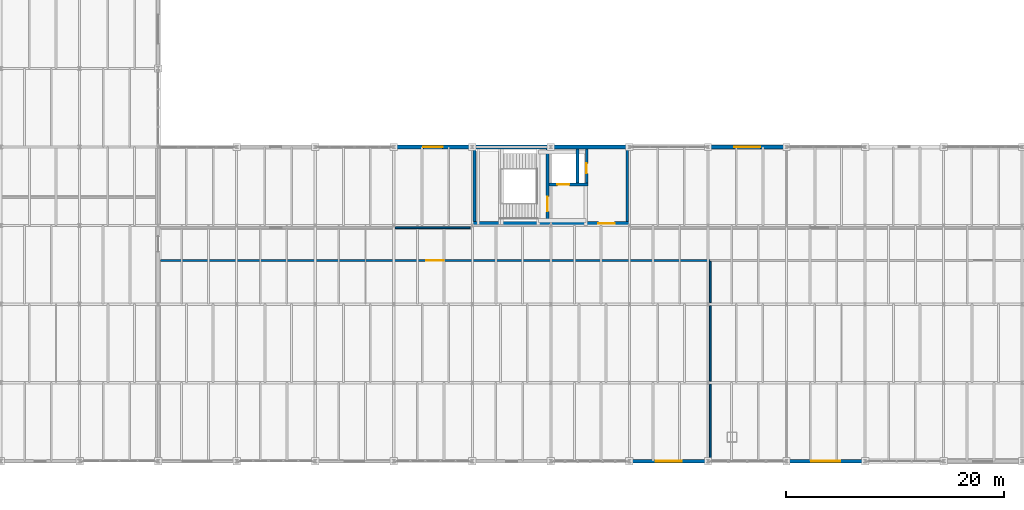
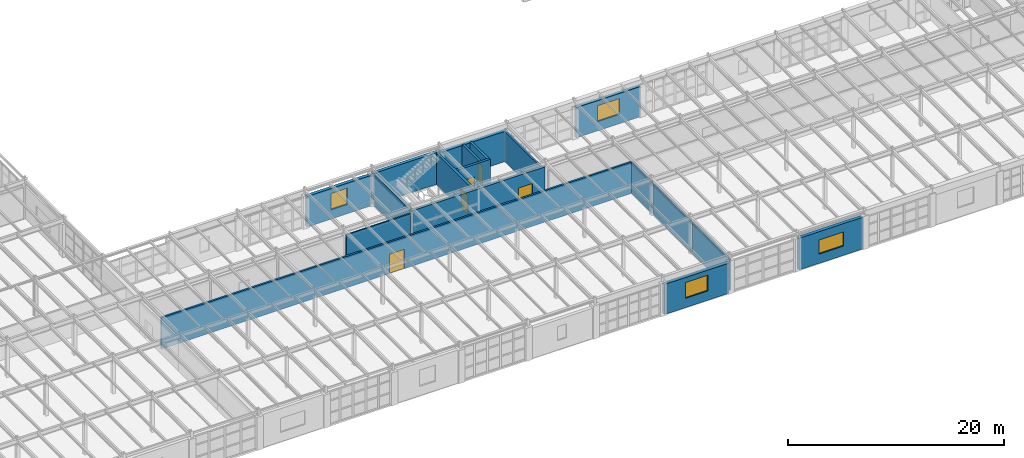
# One storey, part 125 of 137: 18 walls, 5 doors, 4 windows, 9 openings.
"""IFC4 building model written with IfcOpenShell, lengths in metres."""

import ifcopenshell
import ifcopenshell.guid

model = None  # the IFC model being written
_history = None  # IfcOwnerHistory: only IFC2X3 demands one
_inside = {}  # id of a spatial element -> (the spatial element, [elements in it])
_under = {}  # id of a project, library or spatial element -> (it, [spatial elements below it])
_declared = {}  # id of a project -> (the project, [libraries it declares])
_typed = {}  # id of a type object -> (the type object, [elements of that type])
_made_of = {}  # id of a material, layer set ... -> (it, [elements and type objects made of it])


def new_model(schema):
    """Start an empty IFC model of exactly this schema.

    Asked for "IFC4X3", IfcOpenShell would pick the latest addendum, in which some entities
    have other attributes; the version numbers below select the first issue.
    IFC2X3 requires an IfcOwnerHistory on every rooted entity: one is made here for all.
    """
    global model, _history
    if schema == "IFC4X3":
        model = ifcopenshell.file(schema_version=(4, 3, 0, 0))
    else:
        model = ifcopenshell.file(schema=schema)
    _inside.clear()
    _under.clear()
    _declared.clear()
    _typed.clear()
    _made_of.clear()
    _history = None
    if model.schema == "IFC2X3":
        org = make("IfcOrganization", Name="unknown")
        user = make(
            "IfcPersonAndOrganization",
            ThePerson=make("IfcPerson", FamilyName="unknown"),
            TheOrganization=org,
        )
        app = make(
            "IfcApplication",
            ApplicationDeveloper=org,
            Version="unknown",
            ApplicationFullName="unknown",
            ApplicationIdentifier="unknown",
        )
        _history = make(
            "IfcOwnerHistory",
            OwningUser=user,
            OwningApplication=app,
            ChangeAction="ADDED",
            CreationDate=0,
        )
    return model


def make(cls, **values):
    """One entity of the class cls with the attributes given. An attribute that is None is left unset."""
    return model.create_entity(
        cls, **{name: value for name, value in values.items() if value is not None}
    )


def rooted(cls, **values):
    """An entity with a GlobalId (a new one), such as an element, a storey or a relation."""
    return make(cls, GlobalId=ifcopenshell.guid.new(), OwnerHistory=_history, **values)


def si_unit(unit_type, name, prefix=None):
    """IfcSIUnit, for example si_unit("LENGTHUNIT", "METRE", prefix="MILLI")."""
    return make("IfcSIUnit", UnitType=unit_type, Prefix=prefix, Name=name)


def assignment(units):
    """IfcUnitAssignment: the units of a project."""
    return None if units is None else make("IfcUnitAssignment", Units=units)


def point(xyz):
    """IfcCartesianPoint."""
    return None if xyz is None else make("IfcCartesianPoint", Coordinates=xyz)


def direction(xyz):
    """IfcDirection."""
    return None if xyz is None else make("IfcDirection", DirectionRatios=xyz)


def frame(location, z_axis=None, x_axis=None):
    """IfcAxis2Placement3D, a coordinate frame: its origin and axes. An axis left out is left unset."""
    return make(
        "IfcAxis2Placement3D",
        Location=point(location),
        Axis=direction(z_axis),
        RefDirection=direction(x_axis),
    )


def frame_2d(location, x_axis=None):
    """IfcAxis2Placement2D, a coordinate frame in the plane: its origin and x axis."""
    return make(
        "IfcAxis2Placement2D", Location=point(location), RefDirection=direction(x_axis)
    )


def origin():
    """The frame at (0, 0, 0) with its axes left unset."""
    return frame((0.0, 0.0, 0.0))


def place(relative_to, where):
    """IfcLocalPlacement: puts the frame where relative to a parent placement (None: the world)."""
    return make(
        "IfcLocalPlacement", PlacementRelTo=relative_to, RelativePlacement=where
    )


def context(
    kind, dimensions, precision=None, world=None, true_north=None, identifier=None
):
    """IfcGeometricRepresentationContext, for example the 3D "Model" context."""
    return make(
        "IfcGeometricRepresentationContext",
        ContextIdentifier=identifier,
        ContextType=kind,
        CoordinateSpaceDimension=dimensions,
        Precision=precision,
        WorldCoordinateSystem=world,
        TrueNorth=true_north,
    )


def subcontext(parent, identifier, kind, view, scale=None):
    """IfcGeometricRepresentationSubContext, for example "Body" below "Model"."""
    return make(
        "IfcGeometricRepresentationSubContext",
        ContextIdentifier=identifier,
        ContextType=kind,
        ParentContext=parent,
        TargetScale=scale,
        TargetView=view,
    )


def project(units=None, contexts=None):
    """IfcProject with its units and contexts."""
    return rooted(
        "IfcProject",
        Name="project",
        RepresentationContexts=contexts,
        UnitsInContext=assignment(units),
    )


def spatial(cls, under=None, at=None, **own):
    """A site, building, storey or space (cls), placed at a placement, below another one or the project."""
    s = rooted(cls, ObjectPlacement=at, **own)
    if under is not None:
        _under.setdefault(under.id(), (under, []))[1].append(s)
    return s


def profile(cls, at=None, kind="AREA", **sizes):
    """A parametric profile (cls). Its sizes go by their IFC names, for example OverallWidth=200.0."""
    return make(cls, ProfileType=kind, Position=at, **sizes)


def rectangle(**sizes):
    """IfcRectangleProfileDef."""
    return profile("IfcRectangleProfileDef", **sizes)


def extrude(swept, where, along, depth):
    """IfcExtrudedAreaSolid: the profile swept, set in the frame where, extruded along a direction by depth."""
    return make(
        "IfcExtrudedAreaSolid",
        SweptArea=swept,
        Position=where,
        ExtrudedDirection=direction(along),
        Depth=depth,
    )


def shape(context_of_items, identifier, shape_type, items):
    """IfcShapeRepresentation: the items that make up one representation, for example the "Body"."""
    return make(
        "IfcShapeRepresentation",
        ContextOfItems=context_of_items,
        RepresentationIdentifier=identifier,
        RepresentationType=shape_type,
        Items=items,
    )


def material(Name=None, Category=None):
    """IfcMaterial."""
    return make("IfcMaterial", Name=Name, Category=Category)


def layer(
    of_material, thickness, ventilated=None, Name=None, Category=None, Priority=None
):
    """IfcMaterialLayer: one layer of a wall or slab, of a material (None: an air gap)."""
    return make(
        "IfcMaterialLayer",
        Material=of_material,
        LayerThickness=thickness,
        IsVentilated=ventilated,
        Name=Name,
        Category=Category,
        Priority=Priority,
    )


def layer_set(layers, Name=None):
    """IfcMaterialLayerSet."""
    return make("IfcMaterialLayerSet", MaterialLayers=layers, LayerSetName=Name)


def made_of(thing, what):
    """Note that an element or type object is made of a material, layer set ...; save() writes the relation."""
    if what is not None:
        _made_of.setdefault(what.id(), (what, []))[1].append(thing)
    return thing


def type_object(cls, material=None, **own):
    """A type object (cls), such as IfcWallType, which elements share."""
    return made_of(rooted(cls, **own), material)


def element(
    cls,
    number,
    at=None,
    inside=None,
    cuts=None,
    type_object=None,
    material=None,
    context=None,
    identifier="Body",
    shape_type=None,
    held_by="IfcProductDefinitionShape",
    body=None,
    shapes=None,
    **own,
):
    """One element of the class cls, such as IfcWall. Its Tag is "e" and its number.

    at: its placement. inside: the storey or other place that contains it. cuts: it is an
    opening in that element (IfcRelVoidsElement). A single representation is given by context,
    identifier, shape_type and body (its items); several are given by shapes. held_by: the class
    of the entity that holds the representations. save() writes the other relations.
    """
    e = rooted(cls, Tag="e%d" % number, ObjectPlacement=at, **own)
    if body is not None:
        shapes = [shape(context, identifier, shape_type, body)]
    if shapes is not None:
        e.Representation = make(held_by, Representations=shapes)
    if inside is not None:
        _inside.setdefault(inside.id(), (inside, []))[1].append(e)
    if cuts is not None:
        rooted(
            "IfcRelVoidsElement", RelatingBuildingElement=cuts, RelatedOpeningElement=e
        )
    if type_object is not None:
        _typed.setdefault(type_object.id(), (type_object, []))[1].append(e)
    return made_of(e, material)


def fill(opening, filler):
    """IfcRelFillsElement: the door or window that sits in an opening."""
    return rooted(
        "IfcRelFillsElement",
        RelatingOpeningElement=opening,
        RelatedBuildingElement=filler,
    )


def aggregate(whole, parts):
    """IfcRelAggregates: a whole, such as a stair, and the parts it consists of."""
    return rooted("IfcRelAggregates", RelatingObject=whole, RelatedObjects=parts)


def save(model, path):
    """Write the relations noted so far, then the file.

    IfcRelAggregates (storeys below a building ...), IfcRelContainedInSpatialStructure (elements
    in a storey), IfcRelDefinesByType, IfcRelAssociatesMaterial and IfcRelDeclares: one each for
    every whole, place, type object, material and project.
    """
    for whole, parts in _under.values():
        aggregate(whole, parts)
    for where, things in _inside.values():
        rooted(
            "IfcRelContainedInSpatialStructure",
            RelatedElements=things,
            RelatingStructure=where,
        )
    for kind, things in _typed.values():
        rooted("IfcRelDefinesByType", RelatedObjects=things, RelatingType=kind)
    for what, things in _made_of.values():
        rooted("IfcRelAssociatesMaterial", RelatedObjects=things, RelatingMaterial=what)
    for by, libraries in _declared.values():
        rooted("IfcRelDeclares", RelatingContext=by, RelatedDefinitions=libraries)
    model.write(path)


model = new_model("IFC4")

# Units and contexts
model_context = context("Model", 3, precision=1e-05, world=origin(), true_north=direction((0.0, 1.0)))
body_context = subcontext(model_context, "Body", "Model", "MODEL_VIEW")
ifc_project = project(units=[si_unit("LENGTHUNIT", "METRE"), si_unit("AREAUNIT", "SQUARE_METRE"), si_unit("VOLUMEUNIT", "CUBIC_METRE"), si_unit("PLANEANGLEUNIT", "RADIAN"), si_unit("MASSUNIT", "GRAM", prefix="KILO")], contexts=[model_context])

# Site, building, storey
site_placement = place(None, origin())
site = spatial("IfcSite", under=ifc_project, at=site_placement, CompositionType="ELEMENT")
building_placement = place(site_placement, origin())
building = spatial("IfcBuilding", under=site, at=building_placement, Name="Kemerveld Promenade Tramway Depot", CompositionType="ELEMENT")
storey_placement = place(building_placement, frame((0.0, 0.0, 5.39990234375)))
storey = spatial("IfcBuildingStorey", under=building, at=storey_placement, Name="L01", CompositionType="ELEMENT", Elevation=5.39990234375)

# Wall, opening, door
ifc_material_1 = material(Name="Concrete C40/50", Category="concrete")
ifc_layer_1 = layer(ifc_material_1, 0.25)
ifc_layer_set_1 = layer_set([ifc_layer_1], Name="WL-CORE-250")
wall_type_1 = type_object("IfcWallType", Name="WL-CORE-250", PredefinedType="SHEAR", material=ifc_layer_set_1)
wall_1_placement = place(storey_placement, frame((93.300048828125, 21.949951171875, 0.0), z_axis=(0.0, 0.0, 1.0), x_axis=(0.0, 1.0, 0.0)))
wall_1 = element("IfcWall", 1, at=wall_1_placement, inside=storey, type_object=wall_type_1, Name="WL-C4-L01-SDIV", PredefinedType="SHEAR", context=body_context, shape_type="SweptSolid", body=[
    extrude(rectangle(XDim=6.670166015625, YDim=0.25, at=frame_2d((3.3349609375, 0.0))), origin(), (0.0, 0.0, 1.0), 3.550048828125),
])
opening_1_placement = place(wall_1_placement, frame((0.949951171875, 0.0, 0.0)))
opening_1 = element("IfcOpeningElement", 2, at=opening_1_placement, cuts=wall_1, Name="Opening D-561", PredefinedType="OPENING", context=body_context, shape_type="SweptSolid", body=[
    extrude(rectangle(XDim=1.35009765625, YDim=2.14990234375, at=frame_2d((0.675048828125, 1.074951171875))), frame((0.0, 0.135009765625, 0.0), z_axis=(0.0, -1.0, 0.0), x_axis=(1.0, 0.0, 0.0)), (0.0, 0.0, 1.0), 0.27001953125),
])
ifc_material_2 = material(Name="Galvanised steel fire stair door", Category="steel")
door_type_1 = type_object("IfcDoorType", Name="DR-FD120", OperationType="NOTDEFINED", PredefinedType="DOOR", material=ifc_material_2)
door_1_placement = place(opening_1_placement, origin())
door_1 = element("IfcDoor", 3, at=door_1_placement, inside=storey, type_object=door_type_1, Name="DR-C4-L01-STAIR", OperationType="SINGLE_SWING_LEFT", OverallHeight=2.14990234375, OverallWidth=1.35009765625, PredefinedType="DOOR", context=body_context, shape_type="SweptSolid", body=[
    extrude(rectangle(XDim=1.35009765625, YDim=2.14990234375, at=frame_2d((0.675048828125, 1.074951171875))), frame((0.0, 0.02490234375, 0.0), z_axis=(0.0, -1.0, 0.0), x_axis=(1.0, 0.0, 0.0)), (0.0, 0.0, 1.0), 0.050048828125),
])
fill(opening_1, door_1)

wall_2_placement = place(storey_placement, frame((93.425048828125, 25.360107421875, 0.0), z_axis=(0.0, 0.0, 1.0), x_axis=(1.0, 0.0, 0.0)))
wall_2 = element("IfcWall", 4, at=wall_2_placement, inside=storey, type_object=wall_type_1, Name="WL-C4-L01-LSHS", PredefinedType="SHEAR", context=body_context, shape_type="SweptSolid", body=[
    extrude(rectangle(XDim=3.579833984375, YDim=0.25, at=frame_2d((1.7900390625, 0.0))), origin(), (0.0, 0.0, 1.0), 3.550048828125),
])
opening_2_placement = place(wall_2_placement, frame((0.77490234375, 0.0, 0.0)))
opening_2 = element("IfcOpeningElement", 5, at=opening_2_placement, cuts=wall_2, Name="Opening LD-562", PredefinedType="OPENING", context=body_context, shape_type="SweptSolid", body=[
    extrude(rectangle(XDim=1.10009765625, YDim=2.14990234375, at=frame_2d((0.550048828125, 1.074951171875))), frame((0.0, 0.135009765625, 0.0), z_axis=(0.0, -1.0, 0.0), x_axis=(1.0, 0.0, 0.0)), (0.0, 0.0, 1.0), 0.27001953125),
])
ifc_material_3 = material(Name="Brushed stainless steel sliding lift landing door", Category="steel")
door_type_2 = type_object("IfcDoorType", Name="DR-LD01", OperationType="SLIDING_TO_LEFT", PredefinedType="DOOR", material=ifc_material_3)
door_2_placement = place(opening_2_placement, origin())
door_2 = element("IfcDoor", 6, at=door_2_placement, inside=storey, type_object=door_type_2, Name="DR-C4-L01-LIFT", OperationType="SLIDING_TO_LEFT", OverallHeight=2.14990234375, OverallWidth=1.10009765625, PredefinedType="DOOR", context=body_context, shape_type="SweptSolid", body=[
    extrude(rectangle(XDim=1.10009765625, YDim=2.14990234375, at=frame_2d((0.550048828125, 1.074951171875))), frame((0.0, 0.02490234375, 0.0), z_axis=(0.0, -1.0, 0.0), x_axis=(1.0, 0.0, 0.0)), (0.0, 0.0, 1.0), 0.050048828125),
])
fill(opening_2, door_2)

# Wall
wall_3_placement = place(storey_placement, frame((96.050048828125, 25.485107421875, 0.0), z_axis=(0.0, 0.0, 1.0), x_axis=(0.0, 1.0, 0.0)))
element("IfcWall", 7, at=wall_3_placement, inside=storey, type_object=wall_type_1, Name="WL-C4-L01-LSHM", PredefinedType="SHEAR", context=body_context, shape_type="SweptSolid", body=[
    extrude(rectangle(XDim=3.135009765625, YDim=0.25, at=frame_2d((1.5673828125, 0.0))), origin(), (0.0, 0.0, 1.0), 3.550048828125),
])

# Wall, opening, door
wall_4_placement = place(storey_placement, frame((96.8798828125, 25.485107421875, 0.0), z_axis=(0.0, 0.0, 1.0), x_axis=(0.0, 1.0, 0.0)))
wall_4 = element("IfcWall", 8, at=wall_4_placement, inside=storey, type_object=wall_type_1, Name="WL-C4-L01-LSHE", PredefinedType="SHEAR", context=body_context, shape_type="SweptSolid", body=[
    extrude(rectangle(XDim=3.135009765625, YDim=0.25, at=frame_2d((1.5673828125, 0.0))), origin(), (0.0, 0.0, 1.0), 3.550048828125),
])
opening_3_placement = place(wall_4_placement, frame((0.89990234375, 0.0, 0.0)))
opening_3 = element("IfcOpeningElement", 9, at=opening_3_placement, cuts=wall_4, Name="Opening D-563", PredefinedType="OPENING", context=body_context, shape_type="SweptSolid", body=[
    extrude(rectangle(XDim=0.919921875, YDim=2.050048828125, at=frame_2d((0.4599609375, 1.02490234375))), frame((0.0, 0.135009765625, 0.0), z_axis=(0.0, -1.0, 0.0), x_axis=(1.0, 0.0, 0.0)), (0.0, 0.0, 1.0), 0.27001953125),
])
ifc_material_4 = material(Name="Steel riser shaft access fire door", Category="steel")
door_type_3 = type_object("IfcDoorType", Name="DR-RSR01", OperationType="NOTDEFINED", PredefinedType="DOOR", material=ifc_material_4)
door_3_placement = place(opening_3_placement, origin())
door_3 = element("IfcDoor", 10, at=door_3_placement, inside=storey, type_object=door_type_3, Name="DR-C4-L01-RISER", OperationType="SINGLE_SWING_RIGHT", OverallHeight=2.050048828125, OverallWidth=0.919921875, PredefinedType="DOOR", context=body_context, shape_type="SweptSolid", body=[
    extrude(rectangle(XDim=0.919921875, YDim=2.050048828125, at=frame_2d((0.4599609375, 1.02490234375))), frame((0.0, 0.02490234375, 0.0), z_axis=(0.0, -1.0, 0.0), x_axis=(1.0, 0.0, 0.0)), (0.0, 0.0, 1.0), 0.050048828125),
])
fill(opening_3, door_3)

ifc_layer_2 = layer(ifc_material_1, 0.300048828125)
ifc_layer_set_2 = layer_set([ifc_layer_2], Name="WL-CORE-300")
wall_type_2 = type_object("IfcWallType", Name="WL-CORE-300", PredefinedType="SHEAR", material=ifc_layer_set_2)
wall_5_placement = place(storey_placement, frame((86.449951171875, 21.800048828125, 0.0), z_axis=(0.0, 0.0, 1.0), x_axis=(1.0, 0.0, 0.0)))
wall_5 = element("IfcWall", 11, at=wall_5_placement, inside=storey, type_object=wall_type_2, Name="WL-C4-L01-S", PredefinedType="SHEAR", context=body_context, shape_type="SweptSolid", body=[
    extrude(rectangle(XDim=14.35009765625, YDim=0.300048828125, at=frame_2d((7.175048828125, 0.0))), origin(), (0.0, 0.0, 1.0), 3.550048828125),
])
opening_4_placement = place(wall_5_placement, frame((11.5, 0.0, 0.0)))
opening_4 = element("IfcOpeningElement", 12, at=opening_4_placement, cuts=wall_5, Name="Opening D-564", PredefinedType="OPENING", context=body_context, shape_type="SweptSolid", body=[
    extrude(rectangle(XDim=1.5, YDim=2.14990234375, at=frame_2d((0.75, 1.074951171875))), frame((0.0, 0.159912109375, 0.0), z_axis=(0.0, -1.0, 0.0), x_axis=(1.0, 0.0, 0.0)), (0.0, 0.0, 1.0), 0.320068359375),
])
ifc_material_5 = material(Name="Timber-faced acoustic fire lobby door", Category="wood")
door_type_4 = type_object("IfcDoorType", Name="DR-FD60A", OperationType="NOTDEFINED", PredefinedType="DOOR", material=ifc_material_5)
door_4_placement = place(opening_4_placement, origin())
door_4 = element("IfcDoor", 13, at=door_4_placement, inside=storey, type_object=door_type_4, Name="DR-C4-L01-LOBBY", OperationType="SINGLE_SWING_LEFT", OverallHeight=2.14990234375, OverallWidth=1.5, PredefinedType="DOOR", context=body_context, shape_type="SweptSolid", body=[
    extrude(rectangle(XDim=1.5, YDim=2.14990234375, at=frame_2d((0.75, 1.074951171875))), frame((0.0, 0.02490234375, 0.0), z_axis=(0.0, -1.0, 0.0), x_axis=(1.0, 0.0, 0.0)), (0.0, 0.0, 1.0), 0.050048828125),
])
fill(opening_4, door_4)

# Wall
wall_6_placement = place(storey_placement, frame((86.60009765625, 21.949951171875, 0.0), z_axis=(0.0, 0.0, 1.0), x_axis=(0.0, 1.0, 0.0)))
element("IfcWall", 14, at=wall_6_placement, inside=storey, type_object=wall_type_2, Name="WL-C4-L01-W", PredefinedType="SHEAR", context=body_context, shape_type="SweptSolid", body=[
    extrude(rectangle(XDim=6.670166015625, YDim=0.300048828125, at=frame_2d((3.3349609375, 0.0))), origin(), (0.0, 0.0, 1.0), 3.550048828125),
])

# Wall, opening, window
ifc_material_6 = material(Name="Banded granite and red-ochre clay brick masonry", Category="masonry")
ifc_layer_3 = layer(ifc_material_6, 0.35009765625)
ifc_layer_set_3 = layer_set([ifc_layer_3], Name="WL-EXT-350")
wall_type_3 = type_object("IfcWallType", Name="WL-EXT-350", PredefinedType="SOLIDWALL", material=ifc_layer_set_3)
wall_7_placement = place(storey_placement, frame((122.25, 0.0, 0.0), z_axis=(0.0, 0.0, 1.0), x_axis=(-1.0, 0.0, 0.0)))
wall_7 = element("IfcWall", 15, at=wall_7_placement, inside=storey, type_object=wall_type_3, Name="WL-L01-V4S-06", PredefinedType="SOLIDWALL", context=body_context, shape_type="SweptSolid", body=[
    extrude(rectangle(XDim=6.89990234375, YDim=0.35009765625, at=frame_2d((3.449951171875, 0.0))), origin(), (0.0, 0.0, 1.0), 3.590087890625),
])
opening_5_placement = place(wall_7_placement, frame((2.125, 0.0, 1.050048828125)))
opening_5 = element("IfcOpeningElement", 16, at=opening_5_placement, cuts=wall_7, Name="Opening W-159", PredefinedType="OPENING", context=body_context, shape_type="SweptSolid", body=[
    extrude(rectangle(XDim=2.64990234375, YDim=1.60009765625, at=frame_2d((1.324951171875, 0.800048828125))), frame((0.0, 0.18505859375, 0.0), z_axis=(0.0, -1.0, 0.0), x_axis=(1.0, 0.0, 0.0)), (0.0, 0.0, 1.0), 0.3701171875),
])
ifc_material_7 = material(Name="Bronze anodised aluminium and low-e glass", Category="aluminium")
window_type_1 = type_object("IfcWindowType", Name="WN-40", PartitioningType="SINGLE_PANEL", PredefinedType="WINDOW", material=ifc_material_7)
window_1_placement = place(opening_5_placement, origin())
window_1 = element("IfcWindow", 17, at=window_1_placement, inside=storey, type_object=window_type_1, Name="WN-L01-V4S-06", OverallHeight=1.60009765625, OverallWidth=2.64990234375, PartitioningType="SINGLE_PANEL", PredefinedType="WINDOW", context=body_context, shape_type="SweptSolid", body=[
    extrude(rectangle(XDim=2.64990234375, YDim=1.60009765625, at=frame_2d((1.324951171875, 0.800048828125))), frame((0.0, 0.030029296875, 0.0), z_axis=(0.0, -1.0, 0.0), x_axis=(1.0, 0.0, 0.0)), (0.0, 0.0, 1.0), 0.06005859375),
])
fill(opening_5, window_1)

wall_8_placement = place(storey_placement, frame((107.849853515625, 0.0, 0.0), z_axis=(0.0, 0.0, 1.0), x_axis=(-1.0, 0.0, 0.0)))
wall_8 = element("IfcWall", 18, at=wall_8_placement, inside=storey, type_object=wall_type_3, Name="WL-L01-V4S-08", PredefinedType="SOLIDWALL", context=body_context, shape_type="SweptSolid", body=[
    extrude(rectangle(XDim=6.899658203125, YDim=0.35009765625, at=frame_2d((3.44970703125, 0.0))), origin(), (0.0, 0.0, 1.0), 3.414306640625),
])
opening_6_placement = place(wall_8_placement, frame((2.25, 0.0, 1.050048828125)))
opening_6 = element("IfcOpeningElement", 19, at=opening_6_placement, cuts=wall_8, Name="Opening W-160", PredefinedType="OPENING", context=body_context, shape_type="SweptSolid", body=[
    extrude(rectangle(XDim=2.39990234375, YDim=1.800048828125, at=frame_2d((1.199951171875, 0.89990234375))), frame((0.0, 0.18505859375, 0.0), z_axis=(0.0, -1.0, 0.0), x_axis=(1.0, 0.0, 0.0)), (0.0, 0.0, 1.0), 0.3701171875),
])
window_type_2 = type_object("IfcWindowType", Name="WN-10", PartitioningType="SINGLE_PANEL", PredefinedType="WINDOW", material=ifc_material_7)
window_2_placement = place(opening_6_placement, origin())
window_2 = element("IfcWindow", 20, at=window_2_placement, inside=storey, type_object=window_type_2, Name="WN-L01-V4S-08", OverallHeight=1.800048828125, OverallWidth=2.39990234375, PartitioningType="SINGLE_PANEL", PredefinedType="WINDOW", context=body_context, shape_type="SweptSolid", body=[
    extrude(rectangle(XDim=2.39990234375, YDim=1.800048828125, at=frame_2d((1.199951171875, 0.89990234375))), frame((0.0, 0.030029296875, 0.0), z_axis=(0.0, -1.0, 0.0), x_axis=(1.0, 0.0, 0.0)), (0.0, 0.0, 1.0), 0.06005859375),
])
fill(opening_6, window_2)

wall_9_placement = place(storey_placement, frame((79.35009765625, 28.800048828125, 0.0), z_axis=(0.0, 0.0, 1.0), x_axis=(1.0, 0.0, 0.0)))
wall_9 = element("IfcWall", 21, at=wall_9_placement, inside=storey, type_object=wall_type_3, Name="WL-L01-V4N-04", PredefinedType="SOLIDWALL", context=body_context, shape_type="SweptSolid", body=[
    extrude(rectangle(XDim=6.89990234375, YDim=0.35009765625, at=frame_2d((3.449951171875, 0.0))), origin(), (0.0, 0.0, 1.0), 3.468017578125),
])
opening_7_placement = place(wall_9_placement, frame((2.574951171875, 0.0, 1.050048828125)))
opening_7 = element("IfcOpeningElement", 22, at=opening_7_placement, cuts=wall_9, Name="Opening W-165", PredefinedType="OPENING", context=body_context, shape_type="SweptSolid", body=[
    extrude(rectangle(XDim=1.75, YDim=1.85009765625, at=frame_2d((0.875, 0.925048828125))), frame((0.0, 0.18505859375, 0.0), z_axis=(0.0, -1.0, 0.0), x_axis=(1.0, 0.0, 0.0)), (0.0, 0.0, 1.0), 0.3701171875),
])
window_type_3 = type_object("IfcWindowType", Name="WN-30", PartitioningType="SINGLE_PANEL", PredefinedType="WINDOW", material=ifc_material_7)
window_3_placement = place(opening_7_placement, origin())
window_3 = element("IfcWindow", 23, at=window_3_placement, inside=storey, type_object=window_type_3, Name="WN-L01-V4N-04", OverallHeight=1.85009765625, OverallWidth=1.75, PartitioningType="SINGLE_PANEL", PredefinedType="WINDOW", context=body_context, shape_type="SweptSolid", body=[
    extrude(rectangle(XDim=1.75, YDim=1.85009765625, at=frame_2d((0.875, 0.925048828125))), frame((0.0, 0.030029296875, 0.0), z_axis=(0.0, -1.0, 0.0), x_axis=(1.0, 0.0, 0.0)), (0.0, 0.0, 1.0), 0.06005859375),
])
fill(opening_7, window_3)

wall_10_placement = place(storey_placement, frame((108.150146484375, 28.800048828125, 0.0), z_axis=(0.0, 0.0, 1.0), x_axis=(1.0, 0.0, 0.0)))
wall_10 = element("IfcWall", 24, at=wall_10_placement, inside=storey, type_object=wall_type_3, Name="WL-L01-V4N-08", PredefinedType="SOLIDWALL", context=body_context, shape_type="SweptSolid", body=[
    extrude(rectangle(XDim=6.899658203125, YDim=0.35009765625, at=frame_2d((3.44970703125, 0.0))), origin(), (0.0, 0.0, 1.0), 3.43017578125),
])
opening_8_placement = place(wall_10_placement, frame((2.25, 0.0, 1.050048828125)))
opening_8 = element("IfcOpeningElement", 25, at=opening_8_placement, cuts=wall_10, Name="Opening W-166", PredefinedType="OPENING", context=body_context, shape_type="SweptSolid", body=[
    extrude(rectangle(XDim=2.39990234375, YDim=1.800048828125, at=frame_2d((1.199951171875, 0.89990234375))), frame((0.0, 0.18505859375, 0.0), z_axis=(0.0, -1.0, 0.0), x_axis=(1.0, 0.0, 0.0)), (0.0, 0.0, 1.0), 0.3701171875),
])
window_4_placement = place(opening_8_placement, origin())
window_4 = element("IfcWindow", 26, at=window_4_placement, inside=storey, type_object=window_type_2, Name="WN-L01-V4N-08", OverallHeight=1.800048828125, OverallWidth=2.39990234375, PartitioningType="SINGLE_PANEL", PredefinedType="WINDOW", context=body_context, shape_type="SweptSolid", body=[
    extrude(rectangle(XDim=2.39990234375, YDim=1.800048828125, at=frame_2d((1.199951171875, 0.89990234375))), frame((0.0, 0.030029296875, 0.0), z_axis=(0.0, -1.0, 0.0), x_axis=(1.0, 0.0, 0.0)), (0.0, 0.0, 1.0), 0.06005859375),
])
fill(opening_8, window_4)

# Walls
ifc_layer_4 = layer(ifc_material_1, 0.360107421875)
ifc_layer_set_4 = layer_set([ifc_layer_4], Name="WL-EXT-CORE")
wall_type_4 = type_object("IfcWallType", Name="WL-EXT-CORE", PredefinedType="SHEAR", material=ifc_layer_set_4)
wall_11_placement = place(storey_placement, frame((86.39990234375, 28.800048828125, 0.0), z_axis=(0.0, 0.0, 1.0), x_axis=(1.0, 0.0, 0.0)))
element("IfcWall", 27, at=wall_11_placement, inside=storey, type_object=wall_type_4, Name="WL-L01-V4N-05", PredefinedType="SHEAR", context=body_context, shape_type="SweptSolid", body=[
    extrude(rectangle(XDim=7.2001953125, YDim=0.360107421875, at=frame_2d((3.60009765625, 0.0))), origin(), (0.0, 0.0, 1.0), 3.580078125),
])
wall_12_placement = place(storey_placement, frame((93.60009765625, 28.800048828125, 0.0), z_axis=(0.0, 0.0, 1.0), x_axis=(1.0, 0.0, 0.0)))
element("IfcWall", 28, at=wall_12_placement, inside=storey, type_object=wall_type_4, Name="WL-L01-V4N-06", PredefinedType="SHEAR", context=body_context, shape_type="SweptSolid", body=[
    extrude(rectangle(XDim=7.199951171875, YDim=0.360107421875, at=frame_2d((3.60009765625, 0.0))), origin(), (0.0, 0.0, 1.0), 3.43017578125),
])
ifc_material_8 = material(Name="Concrete blockwork C35/45", Category="masonry")
ifc_layer_5 = layer(ifc_material_8, 0.199951171875)
ifc_layer_set_5 = layer_set([ifc_layer_5], Name="WL-LOB-200")
wall_type_5 = type_object("IfcWallType", Name="WL-LOB-200", PredefinedType="SOLIDWALL", material=ifc_layer_set_5)
wall_13_placement = place(storey_placement, frame((100.60009765625, 21.949951171875, 0.0), z_axis=(0.0, 0.0, 1.0), x_axis=(0.0, 1.0, 0.0)))
element("IfcWall", 29, at=wall_13_placement, inside=storey, type_object=wall_type_5, Name="WL-C4-L01-E", PredefinedType="SOLIDWALL", context=body_context, shape_type="SweptSolid", body=[
    extrude(rectangle(XDim=6.670166015625, YDim=0.199951171875, at=frame_2d((3.3349609375, 0.0))), origin(), (0.0, 0.0, 1.0), 3.425048828125),
])
ifc_material_9 = material(Name="Fire-rated gypsum stud partition")
ifc_layer_6 = layer(ifc_material_9, 0.14501953125)
ifc_layer_set_6 = layer_set([ifc_layer_6], Name="WL-PRT-145")
wall_type_6 = type_object("IfcWallType", Name="WL-PRT-145", PredefinedType="PARTITIONING", material=ifc_layer_set_6)
wall_14_placement = place(storey_placement, frame((79.330078125, 21.39990234375, 0.0), z_axis=(0.0, 0.0, 1.0), x_axis=(1.0, 0.0, 0.0)))
element("IfcWall", 30, at=wall_14_placement, inside=storey, type_object=wall_type_6, Name="WL-PRT-RM-L01-V4-EDU-S4", PredefinedType="PARTITIONING", context=body_context, shape_type="SweptSolid", body=[
    extrude(rectangle(XDim=6.869873046875, YDim=0.14501953125, at=frame_2d((3.43505859375, 0.0))), origin(), (0.0, 0.0, 1.0), 3.550048828125),
])
ifc_material_10 = material(Name="Acoustic twin-stud gypsum partition")
ifc_layer_7 = layer(ifc_material_10, 0.159912109375)
ifc_layer_set_7 = layer_set([ifc_layer_7], Name="WL-PRT-160")
wall_type_7 = type_object("IfcWallType", Name="WL-PRT-160", PredefinedType="PARTITIONING", material=ifc_layer_set_7)
wall_15_placement = place(storey_placement, frame((108.199951171875, 0.175048828125, 0.0), z_axis=(0.0, 0.0, 1.0), x_axis=(0.0, 1.0, 0.0)))
element("IfcWall", 31, at=wall_15_placement, inside=storey, type_object=wall_type_7, Name="WL-DIV-L01-022", PredefinedType="PARTITIONING", context=body_context, shape_type="SweptSolid", body=[
    extrude(rectangle(XDim=6.89306640625, YDim=0.159912109375, at=frame_2d((3.446533203125, 0.0))), origin(), (0.0, 0.0, 1.0), 3.550048828125),
])
wall_16_placement = place(storey_placement, frame((108.199951171875, 7.33203125, 0.0), z_axis=(0.0, 0.0, 1.0), x_axis=(0.0, 1.0, 0.0)))
element("IfcWall", 32, at=wall_16_placement, inside=storey, type_object=wall_type_7, Name="WL-DIV-L01-023", PredefinedType="PARTITIONING", context=body_context, shape_type="SweptSolid", body=[
    extrude(rectangle(XDim=6.93603515625, YDim=0.159912109375, at=frame_2d((3.468017578125, 0.0))), origin(), (0.0, 0.0, 1.0), 3.550048828125),
])
wall_17_placement = place(storey_placement, frame((108.199951171875, 14.531982421875, 0.0), z_axis=(0.0, 0.0, 1.0), x_axis=(0.0, 1.0, 0.0)))
element("IfcWall", 33, at=wall_17_placement, inside=storey, type_object=wall_type_7, Name="WL-DIV-L01-024", PredefinedType="PARTITIONING", context=body_context, shape_type="SweptSolid", body=[
    extrude(rectangle(XDim=3.7880859375, YDim=0.159912109375, at=frame_2d((1.89404296875, 0.0))), origin(), (0.0, 0.0, 1.0), 3.550048828125),
])

# Wall, opening, door
ifc_material_11 = material(Name="Plant and substation fire partition")
ifc_layer_8 = layer(ifc_material_11, 0.18994140625)
ifc_layer_set_8 = layer_set([ifc_layer_8], Name="WL-PRT-190")
wall_type_8 = type_object("IfcWallType", Name="WL-PRT-190", PredefinedType="PARTITIONING", material=ifc_layer_set_8)
wall_18_placement = place(storey_placement, frame((57.824951171875, 18.39990234375, 0.0), z_axis=(0.0, 0.0, 1.0), x_axis=(1.0, 0.0, 0.0)))
wall_18 = element("IfcWall", 34, at=wall_18_placement, inside=storey, type_object=wall_type_8, Name="WL-PRT-RM-L01-V4-GAL1", PredefinedType="PARTITIONING", context=body_context, shape_type="SweptSolid", body=[
    extrude(rectangle(XDim=50.375, YDim=0.18994140625, at=frame_2d((25.1875, 0.0))), origin(), (0.0, 0.0, 1.0), 3.550048828125),
])
opening_9_placement = place(wall_18_placement, frame((24.375, 0.0, 0.0)))
opening_9 = element("IfcOpeningElement", 35, at=opening_9_placement, cuts=wall_18, Name="Opening D-636", PredefinedType="OPENING", context=body_context, shape_type="SweptSolid", body=[
    extrude(rectangle(XDim=1.60009765625, YDim=2.199951171875, at=frame_2d((0.800048828125, 1.10009765625))), frame((0.0, 0.10498046875, 0.0), z_axis=(0.0, -1.0, 0.0), x_axis=(1.0, 0.0, 0.0)), (0.0, 0.0, 1.0), 0.2099609375),
])
ifc_material_12 = material(Name="Double glazed gallery and canteen door")
door_type_5 = type_object("IfcDoorType", Name="DR-INT05", OperationType="DOUBLE_SWING_LEFT", PredefinedType="DOOR", material=ifc_material_12)
door_5_placement = place(opening_9_placement, origin())
door_5 = element("IfcDoor", 36, at=door_5_placement, inside=storey, type_object=door_type_5, Name="DR-RM-RM-L01-V4-GAL1", OperationType="DOUBLE_SWING_LEFT", OverallHeight=2.199951171875, OverallWidth=1.60009765625, PredefinedType="DOOR", context=body_context, shape_type="SweptSolid", body=[
    extrude(rectangle(XDim=1.60009765625, YDim=2.199951171875, at=frame_2d((0.800048828125, 1.10009765625))), frame((0.0, 0.02490234375, 0.0), z_axis=(0.0, -1.0, 0.0), x_axis=(1.0, 0.0, 0.0)), (0.0, 0.0, 1.0), 0.050048828125),
])
fill(opening_9, door_5)

save(model, "model.ifc")
